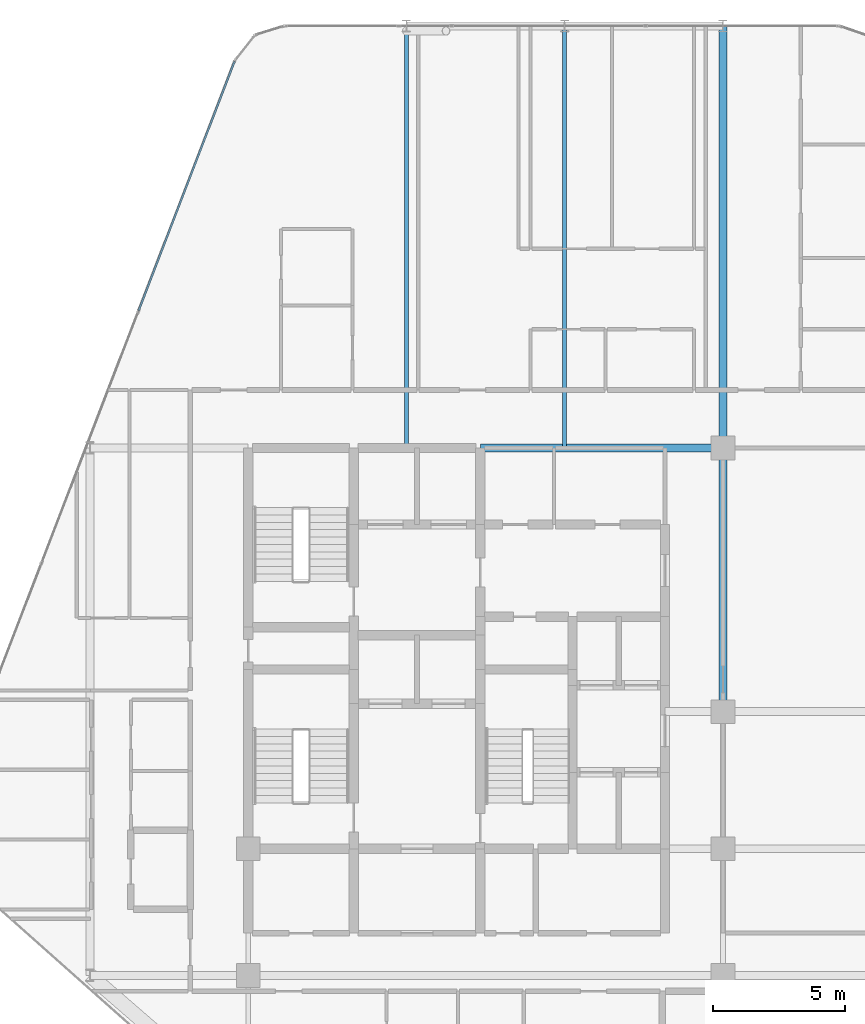
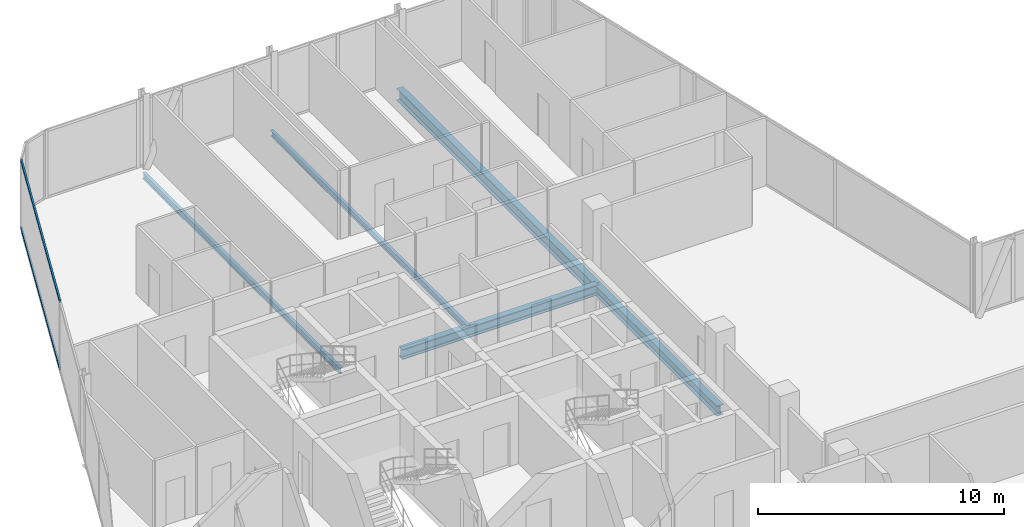
# One storey, part 17 of 29: 5 beams, 2 members, 1 element without a shape of its own.
"""IFC4 building model written with IfcOpenShell, lengths in metres."""

from ifc_helpers import new_model, si_unit, direction, frame, origin, origin_2d, place, context, subcontext, project, spatial, hollow_rectangle, i_section, extrude, material, layer, layer_set, material_profile, profile_set, type_object, element, aggregate, save


model = new_model("IFC4")

# Units and contexts
model_context = context("Model", 3, precision=1e-05, world=origin(), true_north=direction((0.0, 1.0)))
body_context = subcontext(model_context, "Body", "Model", "MODEL_VIEW")
ifc_project = project(units=[si_unit("LENGTHUNIT", "METRE"), si_unit("AREAUNIT", "SQUARE_METRE"), si_unit("VOLUMEUNIT", "CUBIC_METRE"), si_unit("PLANEANGLEUNIT", "RADIAN"), si_unit("MASSUNIT", "GRAM", prefix="KILO")], contexts=[model_context])

# Site, building, storey
site_placement = place(None, origin())
site = spatial("IfcSite", under=ifc_project, at=site_placement, CompositionType="ELEMENT")
building_placement = place(site_placement, origin())
building = spatial("IfcBuilding", under=site, at=building_placement, Name="Keshet Zoharim Tower", CompositionType="ELEMENT")
storey_placement = place(building_placement, frame((0.0, 0.0, 176.5)))
storey = spatial("IfcBuildingStorey", under=building, at=storey_placement, Name="L43", CompositionType="ELEMENT", Elevation=176.5)

# Beams
ifc_material_1 = material(Name="Steel S355", Category="steel")
ifc_material_profile_1 = material_profile(ifc_material_1, i_section(OverallWidth=0.14990234375, OverallDepth=0.300048828125, WebThickness=0.007080078125, FlangeThickness=0.0107421875, FilletRadius=0.014892578125, at=origin_2d()), Name="IPE300")
ifc_profile_set_1 = profile_set([ifc_material_profile_1], Name="Steel S355")
beam_type_1 = type_object("IfcBeamType", Name="BM-JST-IP300", PredefinedType="JOIST", material=ifc_profile_set_1)
for number, where, z_axis, x_axis, name in (
    (1, (21.0, 37.89990234375, -0.4599609375), (0.0, 1.0, 0.0), (-1.0, 0.0, 0.0), "L43 Secondary Floor Joist J-001"),
    (2, (27.0, 37.89990234375, -0.4599609375), (0.0, 1.0, 0.0), (-1.0, 0.0, 0.0), "L43 Secondary Floor Joist J-002"),
):
    element("IfcBeam", number, at=place(storey_placement, frame(where, z_axis=z_axis, x_axis=x_axis)), inside=storey, type_object=beam_type_1, Name=name, PredefinedType="JOIST", context=body_context, shape_type="SweptSolid", body=[
        extrude(i_section(OverallWidth=0.14990234375, OverallDepth=0.300048828125, WebThickness=0.007080078125, FlangeThickness=0.0107421875, FilletRadius=0.014892578125, at=origin_2d()), origin(), (0.0, 0.0, 1.0), 16.0),
    ])
ifc_material_profile_2 = material_profile(ifc_material_1, i_section(OverallWidth=0.300048828125, OverallDepth=0.60009765625, WebThickness=0.015380859375, FlangeThickness=0.030029296875, FilletRadius=0.027099609375, at=origin_2d()), Name="HEB600")
ifc_profile_set_2 = profile_set([ifc_material_profile_2], Name="Steel S355")
beam_type_2 = type_object("IfcBeamType", Name="BM-LNG-HB600", PredefinedType="BEAM", material=ifc_profile_set_2)
beam_1_placement = place(storey_placement, frame((33.0, 37.89990234375, -0.610107421875), z_axis=(0.0, 1.0, 0.0), x_axis=(-1.0, 0.0, 0.0)))
element("IfcBeam", 3, at=beam_1_placement, inside=storey, type_object=beam_type_2, Name="L43 Primary Girder Y-011", PredefinedType="BEAM", context=body_context, shape_type="SweptSolid", body=[
    extrude(i_section(OverallWidth=0.300048828125, OverallDepth=0.60009765625, WebThickness=0.015380859375, FlangeThickness=0.030029296875, FilletRadius=0.027099609375, at=origin_2d()), origin(), (0.0, 0.0, 1.0), 16.0),
])
ifc_material_profile_3 = material_profile(ifc_material_1, i_section(OverallWidth=0.300048828125, OverallDepth=0.5, WebThickness=0.014404296875, FlangeThickness=0.028076171875, FilletRadius=0.027099609375, at=origin_2d()), Name="HEB500")
ifc_profile_set_3 = profile_set([ifc_material_profile_3], Name="Steel S355")
beam_type_3 = type_object("IfcBeamType", Name="BM-MED-HB500", PredefinedType="BEAM", material=ifc_profile_set_3)
beam_2_placement = place(storey_placement, frame((23.800048828125, 37.89990234375, -0.56005859375), z_axis=(1.0, 0.0, 0.0), x_axis=(0.0, 1.0, 0.0)))
element("IfcBeam", 4, at=beam_2_placement, inside=storey, type_object=beam_type_3, Name="L43 Primary Girder X-018", PredefinedType="BEAM", context=body_context, shape_type="SweptSolid", body=[
    extrude(i_section(OverallWidth=0.300048828125, OverallDepth=0.5, WebThickness=0.014404296875, FlangeThickness=0.028076171875, FilletRadius=0.027099609375, at=origin_2d()), origin(), (0.0, 0.0, 1.0), 9.199951171875),
])
beam_3_placement = place(storey_placement, frame((33.0, 27.89990234375, -0.56005859375), z_axis=(0.0, 1.0, 0.0), x_axis=(-1.0, 0.0, 0.0)))
element("IfcBeam", 5, at=beam_3_placement, inside=storey, type_object=beam_type_3, Name="L43 Primary Girder Y-010", PredefinedType="BEAM", context=body_context, shape_type="SweptSolid", body=[
    extrude(i_section(OverallWidth=0.300048828125, OverallDepth=0.5, WebThickness=0.014404296875, FlangeThickness=0.028076171875, FilletRadius=0.027099609375, at=origin_2d()), origin(), (0.0, 0.0, 1.0), 10.0),
])

# Curtain wall, members
ifc_material_2 = material(Name="Aluminium 6063-T6", Category="aluminium")
ifc_layer = layer(ifc_material_2, 0.139892578125)
ifc_layer_set = layer_set([ifc_layer], Name="Aluminium 6063-T6")
curtain_wall_type = type_object("IfcCurtainWallType", Name="CW-SYS-05", PredefinedType="NOTDEFINED", material=ifc_layer_set)
curtain_wall_placement = place(storey_placement, origin())
curtain_wall = element("IfcCurtainWall", 6, at=curtain_wall_placement, inside=storey, type_object=curtain_wall_type, Name="L43 Unitised Curtain Wall 13", PredefinedType="NOTDEFINED")
ifc_material_profile_4 = material_profile(ifc_material_2, hollow_rectangle(XDim=0.074951171875, YDim=0.1201171875, WallThickness=0.00390625, at=origin_2d()), Name="TRN-75x120")
ifc_profile_set_4 = profile_set([ifc_material_profile_4], Name="Aluminium 6063-T6")
member_type = type_object("IfcMemberType", Name="CWT-T12", PredefinedType="USERDEFINED", material=ifc_profile_set_4)
member_1_placement = place(storey_placement, frame((10.849609375, 43.10888671875, 0.034912109375), z_axis=(0.358985546764, 0.933343118694, 0.0), x_axis=(-0.933343118694, 0.358985546764, 0.0)))
member_1 = element("IfcMember", 7, at=member_1_placement, type_object=member_type, Name="CW-05 transom 3.1", ObjectType="TRANSOM", PredefinedType="USERDEFINED", context=body_context, shape_type="SweptSolid", body=[
    extrude(hollow_rectangle(XDim=0.074951171875, YDim=0.1201171875, WallThickness=0.00390625, at=origin_2d()), origin(), (0.0, 0.0, 1.0), 10.118408203125),
])
member_2_placement = place(storey_placement, frame((10.849609375, 43.10888671875, 3.35498046875), z_axis=(0.358985546764, 0.933343118694, 0.0), x_axis=(-0.933343118694, 0.358985546764, 0.0)))
member_2 = element("IfcMember", 8, at=member_2_placement, type_object=member_type, Name="CW-05 transom 3.2", ObjectType="TRANSOM", PredefinedType="USERDEFINED", context=body_context, shape_type="SweptSolid", body=[
    extrude(hollow_rectangle(XDim=0.074951171875, YDim=0.1201171875, WallThickness=0.00390625, at=origin_2d()), origin(), (0.0, 0.0, 1.0), 10.118408203125),
])
aggregate(curtain_wall, [member_1, member_2])

save(model, "model.ifc")
